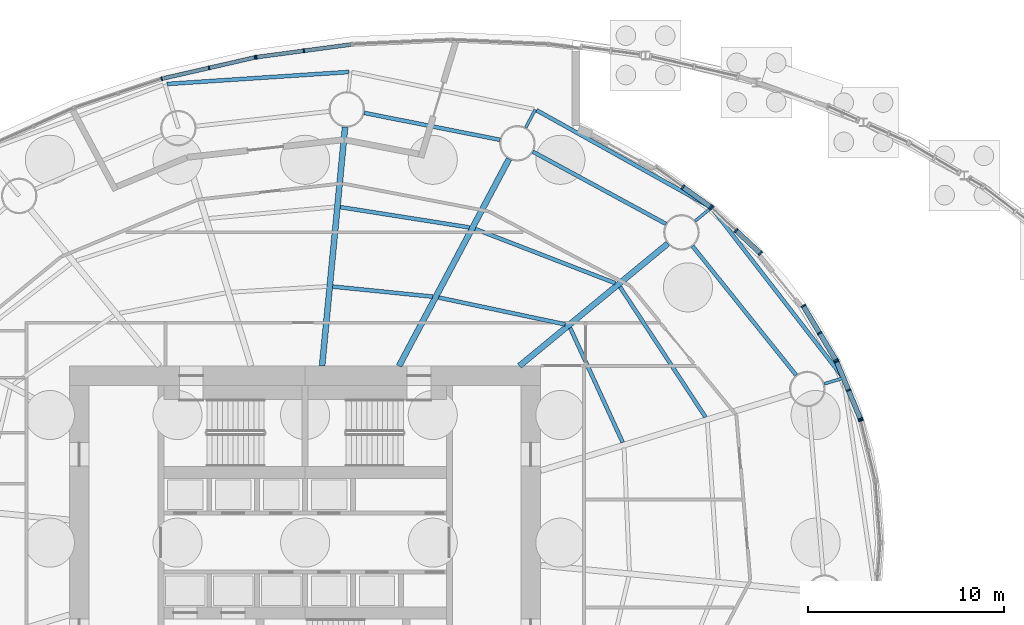
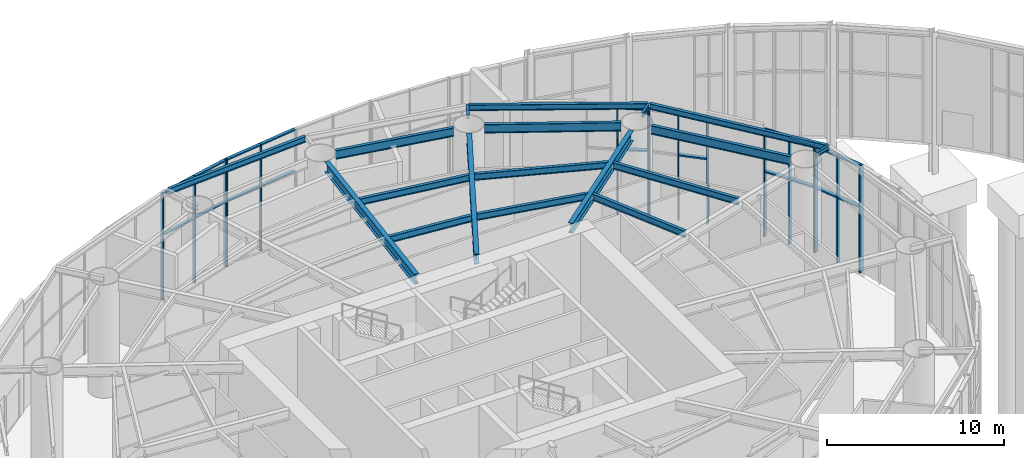
# One storey, part 11 of 27: 36 members, 18 beams, 8 elements without a shape of their own.
"""IFC4 building model written with IfcOpenShell, lengths in metres."""

from ifc_helpers import new_model, si_unit, direction, frame, origin, origin_2d, place, context, subcontext, project, spatial, rectangle, i_section, extrude, material, material_profile, profile_set, type_object, element, aggregate, save


model = new_model("IFC4")

# Units and contexts
model_context = context("Model", 3, precision=1e-05, world=origin(), true_north=direction((0.0, 1.0)))
body_context = subcontext(model_context, "Body", "Model", "MODEL_VIEW")
ifc_project = project(units=[si_unit("LENGTHUNIT", "METRE"), si_unit("AREAUNIT", "SQUARE_METRE"), si_unit("VOLUMEUNIT", "CUBIC_METRE"), si_unit("PLANEANGLEUNIT", "RADIAN"), si_unit("MASSUNIT", "GRAM", prefix="KILO")], contexts=[model_context])

# Site, building, storey
site_placement = place(None, origin())
site = spatial("IfcSite", under=ifc_project, at=site_placement, CompositionType="ELEMENT")
building_placement = place(site_placement, origin())
building = spatial("IfcBuilding", under=site, at=building_placement, Name="Vermilion Reach Broadcast Tower", CompositionType="ELEMENT")
storey_placement = place(building_placement, origin())
storey = spatial("IfcBuildingStorey", under=building, at=storey_placement, Name="L00", CompositionType="ELEMENT", Elevation=0.0)

# Curtain wall, members
ifc_material_1 = material(Name="Low-e laminated clear glass in aluminium frame", Category="aluminium")
curtain_wall_type_1 = type_object("IfcCurtainWallType", Name="Drum wall curtain wall", PredefinedType="NOTDEFINED", material=ifc_material_1)
placement = place(storey_placement, origin())
curtain_wall_1 = element("IfcCurtainWall", 1, at=placement, inside=storey, type_object=curtain_wall_type_1, Name="Drum wall L00 01", PredefinedType="NOTDEFINED")
ifc_material_2 = material(Name="Anodised aluminium", Category="aluminium")
ifc_material_profile_1 = material_profile(ifc_material_2, rectangle(XDim=0.25, YDim=0.080078125, at=origin_2d()), Name="Drum wall mullion 80 x 250")
ifc_profile_set_1 = profile_set([ifc_material_profile_1], Name="Anodised aluminium")
member_type_1 = type_object("IfcMemberType", Name="Drum wall mullion 80 x 250", PredefinedType="MULLION", material=ifc_profile_set_1)
member_1_placement = place(storey_placement, frame((13.23974609375, 18.1103515625, 0.0), z_axis=(0.0, 0.0, 1.0), x_axis=(0.583587074286, 0.812050569069, 0.0)))
member_1 = element("IfcMember", 2, at=member_1_placement, type_object=member_type_1, Name="Drum wall mullion L00 01.2", PredefinedType="MULLION", context=body_context, shape_type="SweptSolid", body=[
    extrude(rectangle(XDim=0.25, YDim=0.080078125, at=origin_2d()), origin(), (0.0, 0.0, 1.0), 7.39990234375),
])
member_2_placement = place(storey_placement, frame((14.64892578125, 17.09765625, 0.0), z_axis=(0.0, 0.0, 1.0), x_axis=(0.583587074286, 0.812050569069, 0.0)))
member_2 = element("IfcMember", 3, at=member_2_placement, type_object=member_type_1, Name="Drum wall mullion L00 01.3", PredefinedType="MULLION", context=body_context, shape_type="SweptSolid", body=[
    extrude(rectangle(XDim=0.25, YDim=0.080078125, at=origin_2d()), origin(), (0.0, 0.0, 1.0), 7.39990234375),
])

curtain_wall_2 = element("IfcCurtainWall", 4, at=placement, inside=storey, type_object=curtain_wall_type_1, Name="Drum wall L00 02", PredefinedType="NOTDEFINED")
member_3_placement = place(storey_placement, frame((14.710693359375, 17.047119140625, 0.0), z_axis=(0.0, 0.0, 1.0), x_axis=(0.682747869342, 0.730654054194, 0.0)))
member_3 = element("IfcMember", 5, at=member_3_placement, type_object=member_type_1, Name="Drum wall mullion L00 02.1", PredefinedType="MULLION", context=body_context, shape_type="SweptSolid", body=[
    extrude(rectangle(XDim=0.25, YDim=0.080078125, at=origin_2d()), origin(), (0.0, 0.0, 1.0), 7.39990234375),
])
member_4_placement = place(storey_placement, frame((15.947265625, 15.891357421875, 0.0), z_axis=(0.0, 0.0, 1.0), x_axis=(0.682747869342, 0.730654054194, 0.0)))
member_4 = element("IfcMember", 6, at=member_4_placement, type_object=member_type_1, Name="Drum wall mullion L00 02.2", PredefinedType="MULLION", context=body_context, shape_type="SweptSolid", body=[
    extrude(rectangle(XDim=0.25, YDim=0.080078125, at=origin_2d()), origin(), (0.0, 0.0, 1.0), 7.39990234375),
])
member_5_placement = place(storey_placement, frame((17.18408203125, 14.73583984375, 0.0), z_axis=(0.0, 0.0, 1.0), x_axis=(0.682747869342, 0.730654054194, 0.0)))
member_5 = element("IfcMember", 7, at=member_5_placement, type_object=member_type_1, Name="Drum wall mullion L00 02.3", PredefinedType="MULLION", context=body_context, shape_type="SweptSolid", body=[
    extrude(rectangle(XDim=0.25, YDim=0.080078125, at=origin_2d()), origin(), (0.0, 0.0, 1.0), 7.39990234375),
])

curtain_wall_3 = element("IfcCurtainWall", 8, at=placement, inside=storey, type_object=curtain_wall_type_1, Name="Drum wall L00 01", PredefinedType="NOTDEFINED")
member_6_placement = place(storey_placement, frame((19.37060546875, 12.0537109375, 0.0), z_axis=(0.0, 0.0, 1.0), x_axis=(0.856821409027, 0.515613297961, 0.0)))
member_6 = element("IfcMember", 9, at=member_6_placement, type_object=member_type_1, Name="Drum wall mullion L00 01.1", PredefinedType="MULLION", context=body_context, shape_type="SweptSolid", body=[
    extrude(rectangle(XDim=0.25, YDim=0.080078125, at=origin_2d()), origin(), (0.0, 0.0, 1.0), 7.39990234375),
])
member_7_placement = place(storey_placement, frame((20.201904296875, 10.67236328125, 0.0), z_axis=(0.0, 0.0, 1.0), x_axis=(0.856821409027, 0.515613297961, 0.0)))
member_7 = element("IfcMember", 10, at=member_7_placement, type_object=member_type_1, Name="Drum wall mullion L00 01.2", PredefinedType="MULLION", context=body_context, shape_type="SweptSolid", body=[
    extrude(rectangle(XDim=0.25, YDim=0.080078125, at=origin_2d()), origin(), (0.0, 0.0, 1.0), 7.39990234375),
])
member_8_placement = place(storey_placement, frame((21.032958984375, 9.291015625, 0.0), z_axis=(0.0, 0.0, 1.0), x_axis=(0.856821409027, 0.515613297961, 0.0)))
member_8 = element("IfcMember", 11, at=member_8_placement, type_object=member_type_1, Name="Drum wall mullion L00 01.3", PredefinedType="MULLION", context=body_context, shape_type="SweptSolid", body=[
    extrude(rectangle(XDim=0.25, YDim=0.080078125, at=origin_2d()), origin(), (0.0, 0.0, 1.0), 7.39990234375),
])

curtain_wall_4 = element("IfcCurtainWall", 12, at=placement, inside=storey, type_object=curtain_wall_type_1, Name="Drum wall L00 02", PredefinedType="NOTDEFINED")
member_9_placement = place(storey_placement, frame((21.069091796875, 9.219970703125, 0.0), z_axis=(0.0, 0.0, 1.0), x_axis=(0.92387542808, 0.382693341189, 0.0)))
member_9 = element("IfcMember", 13, at=member_9_placement, type_object=member_type_1, Name="Drum wall mullion L00 02.1", PredefinedType="MULLION", context=body_context, shape_type="SweptSolid", body=[
    extrude(rectangle(XDim=0.25, YDim=0.080078125, at=origin_2d()), origin(), (0.0, 0.0, 1.0), 7.39990234375),
])
member_10_placement = place(storey_placement, frame((21.673583984375, 7.76025390625, 0.0), z_axis=(0.0, 0.0, 1.0), x_axis=(0.92387542808, 0.382693341189, 0.0)))
member_10 = element("IfcMember", 14, at=member_10_placement, type_object=member_type_1, Name="Drum wall mullion L00 02.2", PredefinedType="MULLION", context=body_context, shape_type="SweptSolid", body=[
    extrude(rectangle(XDim=0.25, YDim=0.080078125, at=origin_2d()), origin(), (0.0, 0.0, 1.0), 7.39990234375),
])
member_11_placement = place(storey_placement, frame((22.2783203125, 6.300537109375, 0.0), z_axis=(0.0, 0.0, 1.0), x_axis=(0.92387542808, 0.382693341189, 0.0)))
member_11 = element("IfcMember", 15, at=member_11_placement, type_object=member_type_1, Name="Drum wall mullion L00 02.3", PredefinedType="MULLION", context=body_context, shape_type="SweptSolid", body=[
    extrude(rectangle(XDim=0.25, YDim=0.080078125, at=origin_2d()), origin(), (0.0, 0.0, 1.0), 7.39990234375),
])

# Curtain wall, member
curtain_wall_5 = element("IfcCurtainWall", 16, at=placement, inside=storey, type_object=curtain_wall_type_1, Name="Drum wall L00 03", PredefinedType="NOTDEFINED")
member_12_placement = place(storey_placement, frame((22.302978515625, 6.224609375, 0.0), z_axis=(0.0, 0.0, 1.0), x_axis=(0.971782962258, 0.235876820108, 0.0)))
member_12 = element("IfcMember", 17, at=member_12_placement, type_object=member_type_1, Name="Drum wall mullion L00 03.1", PredefinedType="MULLION", context=body_context, shape_type="SweptSolid", body=[
    extrude(rectangle(XDim=0.25, YDim=0.080078125, at=origin_2d()), origin(), (0.0, 0.0, 1.0), 7.39990234375),
])
aggregate(curtain_wall_5, [member_12])

# Member
ifc_material_3 = material(Name="Anodised aluminium", Category="aluminium")
ifc_material_profile_2 = material_profile(ifc_material_3, rectangle(XDim=0.25, YDim=0.10009765625, at=origin_2d()), Name="Drum wall transom 250 x 100")
ifc_profile_set_2 = profile_set([ifc_material_profile_2], Name="Anodised aluminium")
member_type_2 = type_object("IfcMemberType", Name="Drum wall transom 250 x 100", PredefinedType="USERDEFINED", material=ifc_profile_set_2)
member_13_placement = place(storey_placement, frame((13.272216796875, 18.0869140625, 4.5), z_axis=(0.812115843093, -0.583496235975, 0.0), x_axis=(0.583496235975, 0.812115843093, 0.0)))
member_13 = element("IfcMember", 18, at=member_13_placement, type_object=member_type_2, Name="Drum wall transom L00 01.2.2", ObjectType="TRANSOM", PredefinedType="USERDEFINED", context=body_context, shape_type="SweptSolid", body=[
    extrude(rectangle(XDim=0.25, YDim=0.10009765625, at=origin_2d()), origin(), (0.0, 0.0, 1.0), 1.6552734375),
])

member_14_placement = place(storey_placement, frame((13.272216796875, 18.0869140625, 7.35009765625), z_axis=(0.812115843093, -0.583496235975, 0.0), x_axis=(0.583496235975, 0.812115843093, 0.0)))
member_14 = element("IfcMember", 19, at=member_14_placement, type_object=member_type_2, Name="Drum wall transom L00 01.2.3", ObjectType="TRANSOM", PredefinedType="USERDEFINED", context=body_context, shape_type="SweptSolid", body=[
    extrude(rectangle(XDim=0.25, YDim=0.10009765625, at=origin_2d()), origin(), (0.0, 0.0, 1.0), 1.6552734375),
])

aggregate(curtain_wall_1, [member_1, member_2, member_13, member_14])

member_15_placement = place(storey_placement, frame((15.9765625, 15.864013671875, 4.5), z_axis=(0.730622158932, -0.682782000991, 0.0), x_axis=(0.682782000991, 0.730622158932, 0.0)))
member_15 = element("IfcMember", 20, at=member_15_placement, type_object=member_type_2, Name="Drum wall transom L00 02.2.2", ObjectType="TRANSOM", PredefinedType="USERDEFINED", context=body_context, shape_type="SweptSolid", body=[
    extrude(rectangle(XDim=0.25, YDim=0.10009765625, at=origin_2d()), origin(), (0.0, 0.0, 1.0), 1.612548828125),
])

aggregate(curtain_wall_2, [member_3, member_4, member_5, member_15])

member_16_placement = place(storey_placement, frame((19.391357421875, 12.019287109375, 4.5), z_axis=(0.515526530238, -0.856873617648, 0.0), x_axis=(0.856873617648, 0.515526530238, 0.0)))
member_16 = element("IfcMember", 21, at=member_16_placement, type_object=member_type_2, Name="Drum wall transom L00 01.1.2", ObjectType="TRANSOM", PredefinedType="USERDEFINED", context=body_context, shape_type="SweptSolid", body=[
    extrude(rectangle(XDim=0.25, YDim=0.10009765625, at=origin_2d()), origin(), (0.0, 0.0, 1.0), 1.531982421875),
])

member_17_placement = place(storey_placement, frame((19.391357421875, 12.019287109375, 7.35009765625), z_axis=(0.515526530238, -0.856873617648, 0.0), x_axis=(0.856873617648, 0.515526530238, 0.0)))
member_17 = element("IfcMember", 22, at=member_17_placement, type_object=member_type_2, Name="Drum wall transom L00 01.1.3", ObjectType="TRANSOM", PredefinedType="USERDEFINED", context=body_context, shape_type="SweptSolid", body=[
    extrude(rectangle(XDim=0.25, YDim=0.10009765625, at=origin_2d()), origin(), (0.0, 0.0, 1.0), 1.531982421875),
])

member_18_placement = place(storey_placement, frame((20.222412109375, 10.63818359375, 4.5), z_axis=(0.515643522398, -0.856803220004, 0.0), x_axis=(0.856803220004, 0.515643522398, 0.0)))
member_18 = element("IfcMember", 23, at=member_18_placement, type_object=member_type_2, Name="Drum wall transom L00 01.2.2", ObjectType="TRANSOM", PredefinedType="USERDEFINED", context=body_context, shape_type="SweptSolid", body=[
    extrude(rectangle(XDim=0.25, YDim=0.10009765625, at=origin_2d()), origin(), (0.0, 0.0, 1.0), 1.5322265625),
])

member_19_placement = place(storey_placement, frame((20.222412109375, 10.63818359375, 7.35009765625), z_axis=(0.515643522398, -0.856803220004, 0.0), x_axis=(0.856803220004, 0.515643522398, 0.0)))
member_19 = element("IfcMember", 24, at=member_19_placement, type_object=member_type_2, Name="Drum wall transom L00 01.2.3", ObjectType="TRANSOM", PredefinedType="USERDEFINED", context=body_context, shape_type="SweptSolid", body=[
    extrude(rectangle(XDim=0.25, YDim=0.10009765625, at=origin_2d()), origin(), (0.0, 0.0, 1.0), 1.5322265625),
])

aggregate(curtain_wall_3, [member_6, member_7, member_8, member_16, member_17, member_18, member_19])

member_20_placement = place(storey_placement, frame((21.084228515625, 9.182861328125, 4.5), z_axis=(0.382811769845, -0.923826362943, 0.0), x_axis=(0.923826362943, 0.382811769845, 0.0)))
member_20 = element("IfcMember", 25, at=member_20_placement, type_object=member_type_2, Name="Drum wall transom L00 02.1.2", ObjectType="TRANSOM", PredefinedType="USERDEFINED", context=body_context, shape_type="SweptSolid", body=[
    extrude(rectangle(XDim=0.25, YDim=0.10009765625, at=origin_2d()), origin(), (0.0, 0.0, 1.0), 1.5),
])

member_21_placement = place(storey_placement, frame((21.084228515625, 9.182861328125, 7.35009765625), z_axis=(0.382811769845, -0.923826362943, 0.0), x_axis=(0.923826362943, 0.382811769845, 0.0)))
member_21 = element("IfcMember", 26, at=member_21_placement, type_object=member_type_2, Name="Drum wall transom L00 02.1.3", ObjectType="TRANSOM", PredefinedType="USERDEFINED", context=body_context, shape_type="SweptSolid", body=[
    extrude(rectangle(XDim=0.25, YDim=0.10009765625, at=origin_2d()), origin(), (0.0, 0.0, 1.0), 1.5),
])

member_22_placement = place(storey_placement, frame((21.68896484375, 7.72314453125, 4.5), z_axis=(0.382672848413, -0.923883916457, 0.0), x_axis=(0.923883916457, 0.382672848413, 0.0)))
member_22 = element("IfcMember", 27, at=member_22_placement, type_object=member_type_2, Name="Drum wall transom L00 02.2.2", ObjectType="TRANSOM", PredefinedType="USERDEFINED", context=body_context, shape_type="SweptSolid", body=[
    extrude(rectangle(XDim=0.25, YDim=0.10009765625, at=origin_2d()), origin(), (0.0, 0.0, 1.0), 1.5),
])

member_23_placement = place(storey_placement, frame((21.68896484375, 7.72314453125, 7.35009765625), z_axis=(0.382672848413, -0.923883916457, 0.0), x_axis=(0.923883916457, 0.382672848413, 0.0)))
member_23 = element("IfcMember", 28, at=member_23_placement, type_object=member_type_2, Name="Drum wall transom L00 02.2.3", ObjectType="TRANSOM", PredefinedType="USERDEFINED", context=body_context, shape_type="SweptSolid", body=[
    extrude(rectangle(XDim=0.25, YDim=0.10009765625, at=origin_2d()), origin(), (0.0, 0.0, 1.0), 1.5),
])

aggregate(curtain_wall_4, [member_9, member_10, member_11, member_20, member_21, member_22, member_23])

# Beams
ifc_material_4 = material(Name="Steel S355J2", Category="steel")
ifc_material_profile_3 = material_profile(ifc_material_4, i_section(OverallWidth=0.199951171875, OverallDepth=0.39990234375, WebThickness=0.008056640625, FlangeThickness=0.012939453125, at=origin_2d()), Name="S355J2 HN 400x200x8x13")
ifc_profile_set_3 = profile_set([ifc_material_profile_3], Name="Steel S355J2")
beam_type_1 = type_object("IfcBeamType", Name="EB1 HN 400x200x8x13", PredefinedType="BEAM", material=ifc_profile_set_3)
beam_1_placement = place(storey_placement, frame((21.365234375, 8.449951171875, 7.60009765625), z_axis=(-0.612374307057, 0.790567965488, 0.0), x_axis=(-0.790567965488, -0.612374307057, 0.0)))
element("IfcBeam", 29, at=beam_1_placement, inside=storey, type_object=beam_type_1, Name="Edge beam EB1-01", PredefinedType="BEAM", context=body_context, shape_type="SweptSolid", body=[
    extrude(i_section(OverallWidth=0.199951171875, OverallDepth=0.39990234375, WebThickness=0.008056640625, FlangeThickness=0.012939453125, at=origin_2d()), origin(), (0.0, 0.0, 1.0), 10.821044921875),
])
beam_2_placement = place(storey_placement, frame((14.62255859375, 17.10302734375, 7.60009765625), z_axis=(-0.873686455295, 0.486489442674, 0.0), x_axis=(-0.486489442674, -0.873686455295, 0.0)))
element("IfcBeam", 30, at=beam_2_placement, inside=storey, type_object=beam_type_1, Name="Edge beam EB1-02", PredefinedType="BEAM", context=body_context, shape_type="SweptSolid", body=[
    extrude(i_section(OverallWidth=0.199951171875, OverallDepth=0.39990234375, WebThickness=0.008056640625, FlangeThickness=0.012939453125, at=origin_2d()), origin(), (0.0, 0.0, 1.0), 10.110595703125),
])
beam_3_placement = place(storey_placement, frame((-3.771484375, 23.97119140625, 7.60009765625), z_axis=(-0.997825669163, -0.065908527213, 0.0), x_axis=(0.065908527213, -0.997825669163, 0.0)))
element("IfcBeam", 31, at=beam_3_placement, inside=storey, type_object=beam_type_1, Name="Edge beam EB1-04", PredefinedType="BEAM", context=body_context, shape_type="SweptSolid", body=[
    extrude(i_section(OverallWidth=0.199951171875, OverallDepth=0.39990234375, WebThickness=0.008056640625, FlangeThickness=0.012939453125, at=origin_2d()), origin(), (0.0, 0.0, 1.0), 9.290283203125),
])
ifc_material_5 = material(Name="Steel S355J2", Category="steel")
ifc_material_profile_4 = material_profile(ifc_material_5, i_section(OverallWidth=0.300048828125, OverallDepth=0.699951171875, WebThickness=0.012939453125, FlangeThickness=0.02392578125, at=origin_2d()), Name="S355J2 HN 700x300x13x24")
ifc_profile_set_4 = profile_set([ifc_material_profile_4], Name="Steel S355J2")
beam_type_2 = type_object("IfcBeamType", Name="G1 HN 700x300x13x24", PredefinedType="BEAM", material=ifc_profile_set_4)
beam_4_placement = place(storey_placement, frame((4.9140625, 9.0, 7.449951171875), z_axis=(0.771514256373, 0.636212034005, 0.0), x_axis=(-0.636212034005, 0.771514256373, 0.0)))
element("IfcBeam", 32, at=beam_4_placement, inside=storey, type_object=beam_type_2, Name="Girder G1-02", PredefinedType="BEAM", context=body_context, shape_type="SweptSolid", body=[
    extrude(i_section(OverallWidth=0.300048828125, OverallDepth=0.699951171875, WebThickness=0.012939453125, FlangeThickness=0.02392578125, at=origin_2d()), origin(), (0.0, 0.0, 1.0), 9.796142578125),
])
beam_5_placement = place(storey_placement, frame((-1.216552734375, 9.0, 7.449951171875), z_axis=(0.469312182262, 0.883032318537, 0.0), x_axis=(-0.883032318537, 0.469312182262, 0.0)))
element("IfcBeam", 33, at=beam_5_placement, inside=storey, type_object=beam_type_2, Name="Girder G1-03", PredefinedType="BEAM", context=body_context, shape_type="SweptSolid", body=[
    extrude(i_section(OverallWidth=0.300048828125, OverallDepth=0.699951171875, WebThickness=0.012939453125, FlangeThickness=0.02392578125, at=origin_2d()), origin(), (0.0, 0.0, 1.0), 11.94091796875),
])
beam_6_placement = place(storey_placement, frame((-5.135009765625, 9.0, 7.449951171875), z_axis=(0.09566673912, 0.995413419151, 0.0), x_axis=(-0.995413419151, 0.09566673912, 0.0)))
element("IfcBeam", 34, at=beam_6_placement, inside=storey, type_object=beam_type_2, Name="Girder G1-04", PredefinedType="BEAM", context=body_context, shape_type="SweptSolid", body=[
    extrude(i_section(OverallWidth=0.300048828125, OverallDepth=0.699951171875, WebThickness=0.012939453125, FlangeThickness=0.02392578125, at=origin_2d()), origin(), (0.0, 0.0, 1.0), 12.22412109375),
])
ifc_material_6 = material(Name="Steel S355J2", Category="steel")
ifc_material_profile_5 = material_profile(ifc_material_6, i_section(OverallWidth=0.14990234375, OverallDepth=0.300048828125, WebThickness=0.006591796875, FlangeThickness=0.009033203125, at=origin_2d()), Name="S355J2 HN 300x150x6.5x9")
ifc_profile_set_5 = profile_set([ifc_material_profile_5], Name="Steel S355J2")
beam_type_3 = type_object("IfcBeamType", Name="GS1 HN 300x150x6.5x9", PredefinedType="BEAM", material=ifc_profile_set_5)
beam_7_placement = place(storey_placement, frame((20.43603515625, 8.08740234375, 7.64990234375), z_axis=(0.956262624381, 0.292509475422, 0.0), x_axis=(-0.292509475422, 0.956262624381, 0.0)))
element("IfcBeam", 35, at=beam_7_placement, inside=storey, type_object=beam_type_3, Name="Cantilever stub GS1-01", PredefinedType="BEAM", context=body_context, shape_type="SweptSolid", body=[
    extrude(i_section(OverallWidth=0.14990234375, OverallDepth=0.300048828125, WebThickness=0.006591796875, FlangeThickness=0.009033203125, at=origin_2d()), origin(), (0.0, 0.0, 1.0), 1.023193359375),
])
beam_8_placement = place(storey_placement, frame((13.860595703125, 16.377685546875, 7.64990234375), z_axis=(0.771531570629, 0.636191036972, 0.0), x_axis=(-0.636191036972, 0.771531570629, 0.0)))
element("IfcBeam", 36, at=beam_8_placement, inside=storey, type_object=beam_type_3, Name="Cantilever stub GS1-02", PredefinedType="BEAM", context=body_context, shape_type="SweptSolid", body=[
    extrude(i_section(OverallWidth=0.14990234375, OverallDepth=0.300048828125, WebThickness=0.006591796875, FlangeThickness=0.009033203125, at=origin_2d()), origin(), (0.0, 0.0, 1.0), 1.07861328125),
])
beam_9_placement = place(storey_placement, frame((5.232177734375, 21.1337890625, 7.64990234375), z_axis=(0.469462125124, 0.882952610888, 0.0), x_axis=(-0.882952610888, 0.469462125124, 0.0)))
element("IfcBeam", 37, at=beam_9_placement, inside=storey, type_object=beam_type_3, Name="Cantilever stub GS1-03", PredefinedType="BEAM", context=body_context, shape_type="SweptSolid", body=[
    extrude(i_section(OverallWidth=0.14990234375, OverallDepth=0.300048828125, WebThickness=0.006591796875, FlangeThickness=0.009033203125, at=origin_2d()), origin(), (0.0, 0.0, 1.0), 1.046875),
])
ifc_material_7 = material(Name="Steel S355J2", Category="steel")
ifc_material_profile_6 = material_profile(ifc_material_7, i_section(OverallWidth=0.199951171875, OverallDepth=0.60009765625, WebThickness=0.010986328125, FlangeThickness=0.01708984375, at=origin_2d()), Name="S355J2 HN 600x200x11x17")
ifc_profile_set_6 = profile_set([ifc_material_profile_6], Name="Steel S355J2")
beam_type_4 = type_object("IfcBeamType", Name="RB1 HN 600x200x11x17", PredefinedType="BEAM", material=ifc_profile_set_6)
beam_10_placement = place(storey_placement, frame((19.011962890625, 8.52587890625, 7.5), z_axis=(-0.626162157191, 0.779692858055, 0.0), x_axis=(-0.779692858055, -0.626162157191, 0.0)))
element("IfcBeam", 38, at=beam_10_placement, inside=storey, type_object=beam_type_4, Name="Ring beam RB1-01", PredefinedType="BEAM", context=body_context, shape_type="SweptSolid", body=[
    extrude(i_section(OverallWidth=0.199951171875, OverallDepth=0.60009765625, WebThickness=0.010986328125, FlangeThickness=0.01708984375, at=origin_2d()), origin(), (0.0, 0.0, 1.0), 8.435791015625),
])
beam_11_placement = place(storey_placement, frame((12.375244140625, 16.234130859375, 7.5), z_axis=(-0.878962319551, 0.476891225344, 0.0), x_axis=(-0.476891225344, -0.878962319551, 0.0)))
element("IfcBeam", 39, at=beam_11_placement, inside=storey, type_object=beam_type_4, Name="Ring beam RB1-02", PredefinedType="BEAM", context=body_context, shape_type="SweptSolid", body=[
    extrude(i_section(OverallWidth=0.199951171875, OverallDepth=0.60009765625, WebThickness=0.010986328125, FlangeThickness=0.01708984375, at=origin_2d()), origin(), (0.0, 0.0, 1.0), 7.707275390625),
])
beam_12_placement = place(storey_placement, frame((3.927001953125, 20.51416015625, 7.5), z_axis=(-0.980857717995, 0.194725799651, 0.0), x_axis=(-0.194725799651, -0.980857717995, 0.0)))
element("IfcBeam", 40, at=beam_12_placement, inside=storey, type_object=beam_type_4, Name="Ring beam RB1-03", PredefinedType="BEAM", context=body_context, shape_type="SweptSolid", body=[
    extrude(i_section(OverallWidth=0.199951171875, OverallDepth=0.60009765625, WebThickness=0.010986328125, FlangeThickness=0.01708984375, at=origin_2d()), origin(), (0.0, 0.0, 1.0), 7.05859375),
])
ifc_material_8 = material(Name="Steel S355J2", Category="steel")
ifc_material_profile_7 = material_profile(ifc_material_8, i_section(OverallWidth=0.199951171875, OverallDepth=0.449951171875, WebThickness=0.009033203125, FlangeThickness=0.013916015625, at=origin_2d()), Name="S355J2 HN 450x200x9x14")
ifc_profile_set_7 = profile_set([ifc_material_profile_7], Name="Steel S355J2")
beam_type_5 = type_object("IfcBeamType", Name="SB1 HN 450x200x9x14", PredefinedType="BEAM", material=ifc_profile_set_7)
beam_13_placement = place(storey_placement, frame((10.175048828125, 5.105224609375, 7.574951171875), z_axis=(-0.417211452529, 0.908809443106, 0.0), x_axis=(-0.908809443106, -0.417211452529, 0.0)))
element("IfcBeam", 41, at=beam_13_placement, inside=storey, type_object=beam_type_5, Name="Secondary beam SB1-01-1", PredefinedType="BEAM", context=body_context, shape_type="SweptSolid", body=[
    extrude(i_section(OverallWidth=0.199951171875, OverallDepth=0.449951171875, WebThickness=0.009033203125, FlangeThickness=0.013916015625, at=origin_2d()), origin(), (0.0, 0.0, 1.0), 6.41650390625),
])
beam_14_placement = place(storey_placement, frame((14.390625, 6.394775390625, 7.574951171875), z_axis=(-0.548800909102, 0.835953086105, 0.0), x_axis=(-0.835953086105, -0.548800909102, 0.0)))
element("IfcBeam", 42, at=beam_14_placement, inside=storey, type_object=beam_type_5, Name="Secondary beam SB1-01-2", PredefinedType="BEAM", context=body_context, shape_type="SweptSolid", body=[
    extrude(i_section(OverallWidth=0.199951171875, OverallDepth=0.449951171875, WebThickness=0.009033203125, FlangeThickness=0.013916015625, at=origin_2d()), origin(), (0.0, 0.0, 1.0), 7.935791015625),
])
beam_15_placement = place(storey_placement, frame((7.24560546875, 11.1171875, 7.574951171875), z_axis=(-0.978270372412, 0.207333254596, 0.0), x_axis=(-0.207333254596, -0.978270372412, 0.0)))
element("IfcBeam", 43, at=beam_15_placement, inside=storey, type_object=beam_type_5, Name="Secondary beam SB1-02-1", PredefinedType="BEAM", context=body_context, shape_type="SweptSolid", body=[
    extrude(i_section(OverallWidth=0.199951171875, OverallDepth=0.449951171875, WebThickness=0.009033203125, FlangeThickness=0.013916015625, at=origin_2d()), origin(), (0.0, 0.0, 1.0), 6.584716796875),
])
beam_16_placement = place(storey_placement, frame((9.7919921875, 13.217041015625, 7.574951171875), z_axis=(-0.932680743753, 0.360702966765, 0.0), x_axis=(-0.360702966765, -0.932680743753, 0.0)))
element("IfcBeam", 44, at=beam_16_placement, inside=storey, type_object=beam_type_5, Name="Secondary beam SB1-02-2", PredefinedType="BEAM", context=body_context, shape_type="SweptSolid", body=[
    extrude(i_section(OverallWidth=0.199951171875, OverallDepth=0.449951171875, WebThickness=0.009033203125, FlangeThickness=0.013916015625, at=origin_2d()), origin(), (0.0, 0.0, 1.0), 7.646240234375),
])
beam_17_placement = place(storey_placement, frame((0.490234375, 12.531005859375, 7.574951171875), z_axis=(-0.995010199331, 0.099773259079, 0.0), x_axis=(-0.099773259079, -0.995010199331, 0.0)))
element("IfcBeam", 45, at=beam_17_placement, inside=storey, type_object=beam_type_5, Name="Secondary beam SB1-03-1", PredefinedType="BEAM", context=body_context, shape_type="SweptSolid", body=[
    extrude(i_section(OverallWidth=0.199951171875, OverallDepth=0.449951171875, WebThickness=0.009033203125, FlangeThickness=0.013916015625, at=origin_2d()), origin(), (0.0, 0.0, 1.0), 5.111572265625),
])
beam_18_placement = place(storey_placement, frame((2.36279296875, 16.05419921875, 7.574951171875), z_axis=(-0.987829548379, 0.155540294938, 0.0), x_axis=(-0.155540294938, -0.987829548379, 0.0)))
element("IfcBeam", 46, at=beam_18_placement, inside=storey, type_object=beam_type_5, Name="Secondary beam SB1-03-2", PredefinedType="BEAM", context=body_context, shape_type="SweptSolid", body=[
    extrude(i_section(OverallWidth=0.199951171875, OverallDepth=0.449951171875, WebThickness=0.009033203125, FlangeThickness=0.013916015625, at=origin_2d()), origin(), (0.0, 0.0, 1.0), 6.650634765625),
])

# Curtain wall, members
ifc_material_9 = material(Name="Low-e laminated clear glass in aluminium frame", Category="aluminium")
curtain_wall_type_2 = type_object("IfcCurtainWallType", Name="Street frontage curtain wall", PredefinedType="NOTDEFINED", material=ifc_material_9)
curtain_wall_6 = element("IfcCurtainWall", 47, at=placement, inside=storey, type_object=curtain_wall_type_2, Name="Street frontage L00 04", PredefinedType="NOTDEFINED")
ifc_material_10 = material(Name="Anodised aluminium", Category="aluminium")
ifc_material_profile_8 = material_profile(ifc_material_10, rectangle(XDim=0.199951171875, YDim=0.070068359375, at=origin_2d()), Name="Street frontage mullion 70 x 200")
ifc_profile_set_8 = profile_set([ifc_material_profile_8], Name="Anodised aluminium")
member_type_3 = type_object("IfcMemberType", Name="Street frontage mullion 70 x 200", PredefinedType="MULLION", material=ifc_profile_set_8)
member_24_placement = place(storey_placement, frame((-6.061279296875, 25.0498046875, 0.0), z_axis=(0.0, 0.0, 1.0), x_axis=(0.13279364906, -0.991143706417, 0.0)))
member_24 = element("IfcMember", 48, at=member_24_placement, type_object=member_type_3, Name="Street frontage mullion L00 04.2", PredefinedType="MULLION", context=body_context, shape_type="SweptSolid", body=[
    extrude(rectangle(XDim=0.199951171875, YDim=0.070068359375, at=origin_2d()), origin(), (0.0, 0.0, 1.0), 7.39990234375),
])
member_25_placement = place(storey_placement, frame((-8.484619140625, 24.72509765625, 0.0), z_axis=(0.0, 0.0, 1.0), x_axis=(0.13279364906, -0.991143706417, 0.0)))
member_25 = element("IfcMember", 49, at=member_25_placement, type_object=member_type_3, Name="Street frontage mullion L00 04.3", PredefinedType="MULLION", context=body_context, shape_type="SweptSolid", body=[
    extrude(rectangle(XDim=0.199951171875, YDim=0.070068359375, at=origin_2d()), origin(), (0.0, 0.0, 1.0), 7.39990234375),
])

curtain_wall_7 = element("IfcCurtainWall", 50, at=placement, inside=storey, type_object=curtain_wall_type_2, Name="Street frontage L00 05", PredefinedType="NOTDEFINED")
member_26_placement = place(storey_placement, frame((-8.553466796875, 24.712646484375, 0.0), z_axis=(0.0, 0.0, 1.0), x_axis=(0.222891523278, -0.974843253478, 0.0)))
member_26 = element("IfcMember", 51, at=member_26_placement, type_object=member_type_3, Name="Street frontage mullion L00 05.1", PredefinedType="MULLION", context=body_context, shape_type="SweptSolid", body=[
    extrude(rectangle(XDim=0.199951171875, YDim=0.070068359375, at=origin_2d()), origin(), (0.0, 0.0, 1.0), 7.39990234375),
])
member_27_placement = place(storey_placement, frame((-10.891845703125, 24.177978515625, 0.0), z_axis=(0.0, 0.0, 1.0), x_axis=(0.222891523278, -0.974843253478, 0.0)))
member_27 = element("IfcMember", 52, at=member_27_placement, type_object=member_type_3, Name="Street frontage mullion L00 05.2", PredefinedType="MULLION", context=body_context, shape_type="SweptSolid", body=[
    extrude(rectangle(XDim=0.199951171875, YDim=0.070068359375, at=origin_2d()), origin(), (0.0, 0.0, 1.0), 7.39990234375),
])

# Curtain wall, member
curtain_wall_8 = element("IfcCurtainWall", 53, at=placement, inside=storey, type_object=curtain_wall_type_2, Name="Street frontage L00 06", PredefinedType="NOTDEFINED")
member_28_placement = place(storey_placement, frame((-13.29736328125, 23.62451171875, 0.0), z_axis=(0.0, 0.0, 1.0), x_axis=(0.315228098746, -0.949015935462, 0.0)))
member_28 = element("IfcMember", 54, at=member_28_placement, type_object=member_type_3, Name="Street frontage mullion L00 06.1", PredefinedType="MULLION", context=body_context, shape_type="SweptSolid", body=[
    extrude(rectangle(XDim=0.199951171875, YDim=0.070068359375, at=origin_2d()), origin(), (0.0, 0.0, 1.0), 7.39990234375),
])
aggregate(curtain_wall_8, [member_28])

# Member
ifc_material_11 = material(Name="Anodised aluminium", Category="aluminium")
ifc_material_profile_9 = material_profile(ifc_material_11, rectangle(XDim=0.199951171875, YDim=0.090087890625, at=origin_2d()), Name="Street frontage transom 200 x 90")
ifc_profile_set_9 = profile_set([ifc_material_profile_9], Name="Anodised aluminium")
member_type_4 = type_object("IfcMemberType", Name="Street frontage transom 200 x 90", PredefinedType="USERDEFINED", material=ifc_profile_set_9)
member_29_placement = place(storey_placement, frame((-3.67236328125, 25.369873046875, 4.5), z_axis=(-0.991141504408, -0.132810083354, 0.0), x_axis=(0.132810083354, -0.991141504408, 0.0)))
member_29 = element("IfcMember", 55, at=member_29_placement, type_object=member_type_4, Name="Street frontage transom L00 04.1.2", ObjectType="TRANSOM", PredefinedType="USERDEFINED", context=body_context, shape_type="SweptSolid", body=[
    extrude(rectangle(XDim=0.199951171875, YDim=0.090087890625, at=origin_2d()), origin(), (0.0, 0.0, 1.0), 2.375),
])

member_30_placement = place(storey_placement, frame((-3.67236328125, 25.369873046875, 7.35498046875), z_axis=(-0.991141504408, -0.132810083354, 0.0), x_axis=(0.132810083354, -0.991141504408, 0.0)))
member_30 = element("IfcMember", 56, at=member_30_placement, type_object=member_type_4, Name="Street frontage transom L00 04.1.3", ObjectType="TRANSOM", PredefinedType="USERDEFINED", context=body_context, shape_type="SweptSolid", body=[
    extrude(rectangle(XDim=0.199951171875, YDim=0.090087890625, at=origin_2d()), origin(), (0.0, 0.0, 1.0), 2.375),
])

member_31_placement = place(storey_placement, frame((-6.095947265625, 25.045166015625, 4.5), z_axis=(-0.991141504408, -0.132810083354, 0.0), x_axis=(0.132810083354, -0.991141504408, 0.0)))
member_31 = element("IfcMember", 57, at=member_31_placement, type_object=member_type_4, Name="Street frontage transom L00 04.2.2", ObjectType="TRANSOM", PredefinedType="USERDEFINED", context=body_context, shape_type="SweptSolid", body=[
    extrude(rectangle(XDim=0.199951171875, YDim=0.090087890625, at=origin_2d()), origin(), (0.0, 0.0, 1.0), 2.375),
])

member_32_placement = place(storey_placement, frame((-6.095947265625, 25.045166015625, 7.35498046875), z_axis=(-0.991141504408, -0.132810083354, 0.0), x_axis=(0.132810083354, -0.991141504408, 0.0)))
member_32 = element("IfcMember", 58, at=member_32_placement, type_object=member_type_4, Name="Street frontage transom L00 04.2.3", ObjectType="TRANSOM", PredefinedType="USERDEFINED", context=body_context, shape_type="SweptSolid", body=[
    extrude(rectangle(XDim=0.199951171875, YDim=0.090087890625, at=origin_2d()), origin(), (0.0, 0.0, 1.0), 2.375),
])

aggregate(curtain_wall_6, [member_24, member_25, member_29, member_30, member_31, member_32])

member_33_placement = place(storey_placement, frame((-8.587646484375, 24.704833984375, 4.5), z_axis=(-0.974841585532, -0.222898818116, 0.0), x_axis=(0.222898818116, -0.974841585532, 0.0)))
member_33 = element("IfcMember", 59, at=member_33_placement, type_object=member_type_4, Name="Street frontage transom L00 05.1.2", ObjectType="TRANSOM", PredefinedType="USERDEFINED", context=body_context, shape_type="SweptSolid", body=[
    extrude(rectangle(XDim=0.199951171875, YDim=0.090087890625, at=origin_2d()), origin(), (0.0, 0.0, 1.0), 2.32861328125),
])

member_34_placement = place(storey_placement, frame((-8.587646484375, 24.704833984375, 7.35498046875), z_axis=(-0.974841585532, -0.222898818116, 0.0), x_axis=(0.222898818116, -0.974841585532, 0.0)))
member_34 = element("IfcMember", 60, at=member_34_placement, type_object=member_type_4, Name="Street frontage transom L00 05.1.3", ObjectType="TRANSOM", PredefinedType="USERDEFINED", context=body_context, shape_type="SweptSolid", body=[
    extrude(rectangle(XDim=0.199951171875, YDim=0.090087890625, at=origin_2d()), origin(), (0.0, 0.0, 1.0), 2.32861328125),
])

member_35_placement = place(storey_placement, frame((-10.92578125, 24.170166015625, 4.5), z_axis=(-0.974841585532, -0.222898818116, 0.0), x_axis=(0.222898818116, -0.974841585532, 0.0)))
member_35 = element("IfcMember", 61, at=member_35_placement, type_object=member_type_4, Name="Street frontage transom L00 05.2.2", ObjectType="TRANSOM", PredefinedType="USERDEFINED", context=body_context, shape_type="SweptSolid", body=[
    extrude(rectangle(XDim=0.199951171875, YDim=0.090087890625, at=origin_2d()), origin(), (0.0, 0.0, 1.0), 2.32861328125),
])

member_36_placement = place(storey_placement, frame((-10.92578125, 24.170166015625, 7.35498046875), z_axis=(-0.974841585532, -0.222898818116, 0.0), x_axis=(0.222898818116, -0.974841585532, 0.0)))
member_36 = element("IfcMember", 62, at=member_36_placement, type_object=member_type_4, Name="Street frontage transom L00 05.2.3", ObjectType="TRANSOM", PredefinedType="USERDEFINED", context=body_context, shape_type="SweptSolid", body=[
    extrude(rectangle(XDim=0.199951171875, YDim=0.090087890625, at=origin_2d()), origin(), (0.0, 0.0, 1.0), 2.32861328125),
])

aggregate(curtain_wall_7, [member_26, member_27, member_33, member_34, member_35, member_36])

save(model, "model.ifc")
